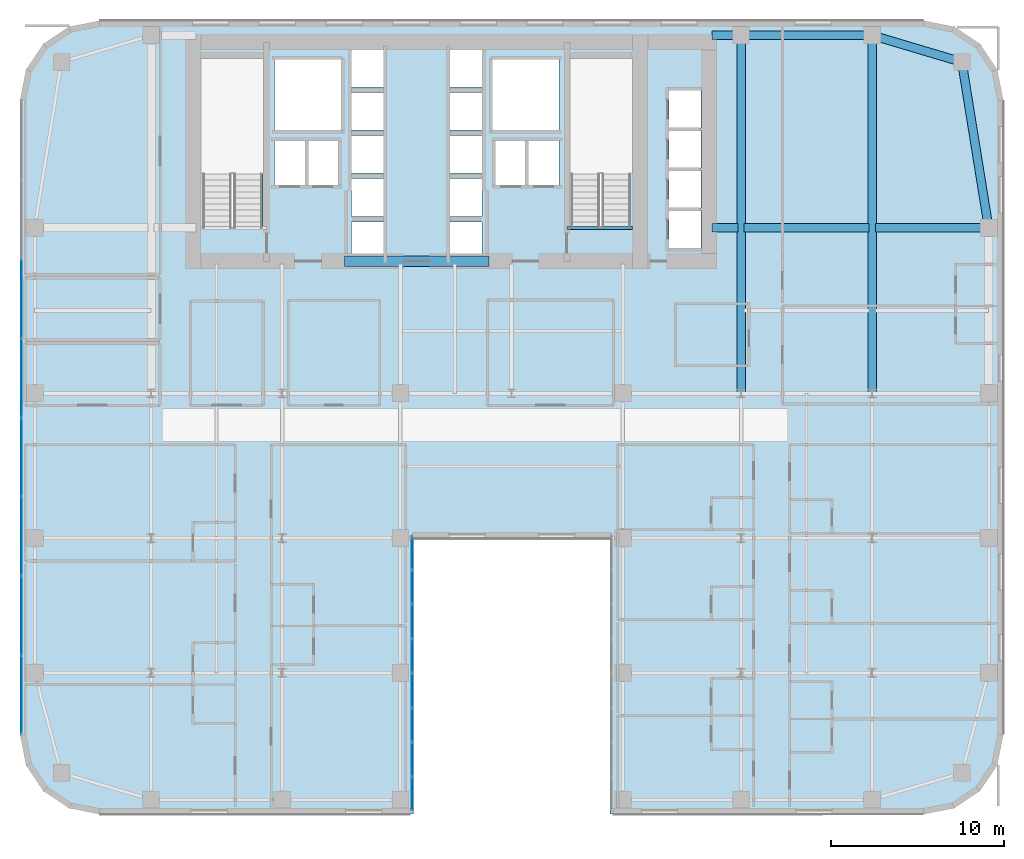
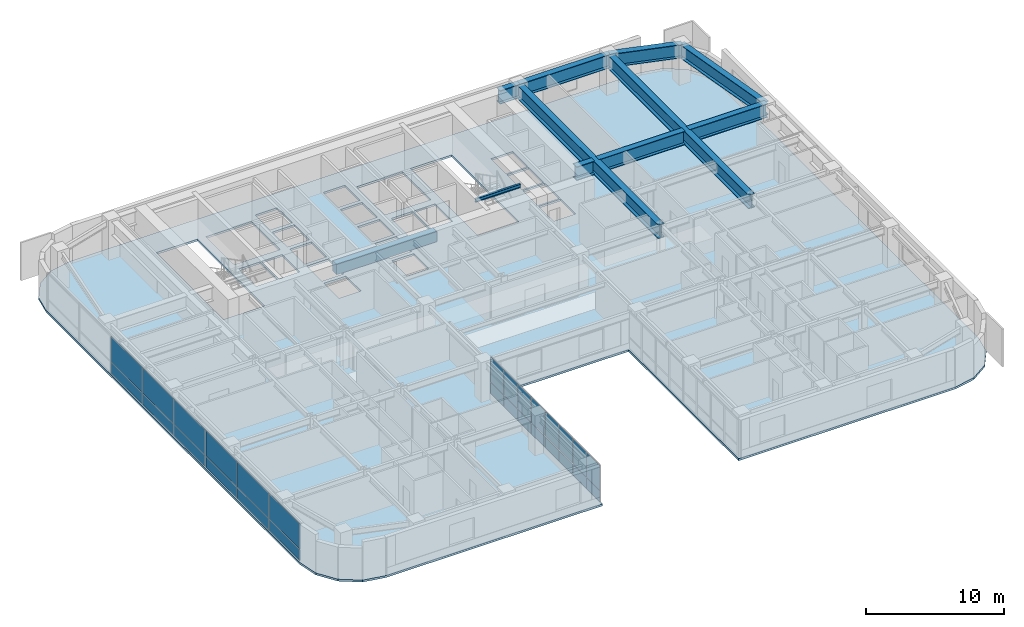
# One storey, part 25 of 37: 28 plates, 11 beams, 1 slab, 2 elements without a shape of their own.
"""IFC4 building model written with IfcOpenShell, lengths in metres."""

from ifc_helpers import new_model, si_unit, direction, frame, origin, origin_2d, place, context, subcontext, project, spatial, polyline, rectangle, i_section, outline, extrude, source, transform, mapped, material, layer, layer_set, material_profile, profile_set, type_object, type_shapes, element, aggregate, save


model = new_model("IFC4")

# Units and contexts
model_context = context("Model", 3, precision=1e-05, world=origin(), true_north=direction((0.0, 1.0)))
body_context = subcontext(model_context, "Body", "Model", "MODEL_VIEW")
ifc_project = project(units=[si_unit("LENGTHUNIT", "METRE"), si_unit("AREAUNIT", "SQUARE_METRE"), si_unit("VOLUMEUNIT", "CUBIC_METRE"), si_unit("PLANEANGLEUNIT", "RADIAN"), si_unit("MASSUNIT", "GRAM", prefix="KILO")], contexts=[model_context])

# Site, building, storey
site_placement = place(None, origin())
site = spatial("IfcSite", under=ifc_project, at=site_placement, CompositionType="ELEMENT")
building_placement = place(site_placement, origin())
building = spatial("IfcBuilding", under=site, at=building_placement, Name="Tolvann Quenvar Hotel", CompositionType="ELEMENT")
storey_placement = place(building_placement, frame((0.0, 0.0, 53.300048828125)))
storey = spatial("IfcBuildingStorey", under=building, at=storey_placement, Name="L12", CompositionType="ELEMENT", Elevation=53.300048828125)

# Beams
ifc_material_1 = material(Name="Concrete N50 (50 MPa)", Category="concrete")
ifc_material_profile_1 = material_profile(ifc_material_1, rectangle(XDim=0.60009765625, YDim=0.89990234375, at=origin_2d()), Name="RC600x900")
ifc_profile_set_1 = profile_set([ifc_material_profile_1], Name="Concrete N50 (50 MPa)")
beam_type_1 = type_object("IfcBeamType", Name="BM_LINT_RC600x900", PredefinedType="LINTEL", material=ifc_profile_set_1)
shared_shape_1 = source(origin(), body_context, "Body", "SweptSolid", [
    extrude(rectangle(XDim=0.60009765625, YDim=0.89990234375, at=origin_2d()), origin(), (0.0, 0.0, 1.0), 8.39990234375),
])
type_shapes(beam_type_1, [shared_shape_1])
beam_1_placement = place(storey_placement, frame((18.800048828125, 32.050048828125, 2.919921875), z_axis=(1.0, 0.0, 0.0), x_axis=(0.0, 1.0, 0.0)))
element("IfcBeam", 1, at=beam_1_placement, inside=storey, type_object=beam_type_1, Name="Core Coupling Lintel Beam (L12)", PredefinedType="LINTEL", context=body_context, shape_type="MappedRepresentation", body=[
    mapped(shared_shape_1, transform((0.0, 0.0, 0.0), x_axis=(1.0, 0.0, 0.0), y_axis=(0.0, 1.0, 0.0), z_axis=(0.0, 0.0, 1.0), scale=1.0)),
])
ifc_material_2 = material(Name="Steel Grade 350", Category="steel")
ifc_material_profile_2 = material_profile(ifc_material_2, i_section(OverallWidth=0.5, OverallDepth=1.199951171875, WebThickness=0.01611328125, FlangeThickness=0.0400390625, at=origin_2d()), Name="1200WB455")
ifc_profile_set_2 = profile_set([ifc_material_profile_2], Name="Steel Grade 350")
beam_type_2 = type_object("IfcBeamType", Name="BM_TG_1200WB455", PredefinedType="USERDEFINED", material=ifc_profile_set_2)
shared_shape_2 = source(origin(), body_context, "Body", "SweptSolid", [
    extrude(i_section(OverallWidth=0.5, OverallDepth=1.199951171875, WebThickness=0.01611328125, FlangeThickness=0.0400390625, at=origin_2d()), origin(), (0.0, 0.0, 1.0), 7.599853515625),
])
beam_2_placement = place(storey_placement, frame((49.39990234375, 45.14990234375, 2.77001953125), z_axis=(-1.0, 0.0, 0.0), x_axis=(0.0, -1.0, 0.0)))
element("IfcBeam", 2, at=beam_2_placement, inside=storey, type_object=beam_type_2, Name="BM-L12-FLK-E4", ObjectType="TRANSFER GIRDER", PredefinedType="USERDEFINED", context=body_context, shape_type="MappedRepresentation", body=[
    mapped(shared_shape_2, transform((0.0, 0.0, 0.0), x_axis=(1.0, 0.0, 0.0), y_axis=(0.0, 1.0, 0.0), z_axis=(0.0, 0.0, 1.0), scale=1.0)),
])
shared_shape_3 = source(origin(), body_context, "Body", "SweptSolid", [
    extrude(i_section(OverallWidth=0.5, OverallDepth=1.199951171875, WebThickness=0.01611328125, FlangeThickness=0.0400390625, at=origin_2d()), origin(), (0.0, 0.0, 1.0), 20.75),
])
for number, where, z_axis, x_axis, name in (
    (3, (41.800048828125, 24.39990234375, 2.77001953125), (0.0, 1.0, 0.0), (-1.0, 0.0, 0.0), "BM-L12-FLK-EH"),
    (4, (49.39990234375, 24.39990234375, 2.77001953125), (0.0, 1.0, 0.0), (-1.0, 0.0, 0.0), "BM-L12-FLK-EI"),
):
    element("IfcBeam", number, at=place(storey_placement, frame(where, z_axis=z_axis, x_axis=x_axis)), inside=storey, type_object=beam_type_2, Name=name, ObjectType="TRANSFER GIRDER", PredefinedType="USERDEFINED", context=body_context, shape_type="MappedRepresentation", body=[
        mapped(shared_shape_3, transform((0.0, 0.0, 0.0), x_axis=(1.0, 0.0, 0.0), y_axis=(0.0, 1.0, 0.0), z_axis=(0.0, 0.0, 1.0), scale=1.0)),
    ])
shared_shape_4 = source(origin(), body_context, "Body", "SweptSolid", [
    extrude(i_section(OverallWidth=0.5, OverallDepth=1.199951171875, WebThickness=0.01611328125, FlangeThickness=0.0400390625, at=origin_2d()), origin(), (0.0, 0.0, 1.0), 6.56982421875),
])
beam_3_placement = place(storey_placement, frame((49.580078125, 34.0, 2.77001953125), z_axis=(1.0, 0.0, 0.0), x_axis=(0.0, 1.0, 0.0)))
element("IfcBeam", 5, at=beam_3_placement, inside=storey, type_object=beam_type_2, Name="BM-L12-CTE-JD6C", ObjectType="TRANSFER GIRDER", PredefinedType="USERDEFINED", context=body_context, shape_type="MappedRepresentation", body=[
    mapped(shared_shape_4, transform((0.0, 0.0, 0.0), x_axis=(1.0, 0.0, 0.0), y_axis=(0.0, 1.0, 0.0), z_axis=(0.0, 0.0, 1.0), scale=1.0)),
])
shared_shape_5 = source(origin(), body_context, "Body", "SweptSolid", [
    extrude(i_section(OverallWidth=0.5, OverallDepth=1.199951171875, WebThickness=0.01611328125, FlangeThickness=0.0400390625, at=origin_2d()), origin(), (0.0, 0.0, 1.0), 9.724365234375),
])
beam_4_placement = place(storey_placement, frame((56.14990234375, 34.0, 2.77001953125), z_axis=(-0.159372939192, 0.987218449105, 0.0), x_axis=(-0.987218449105, -0.159372939192, 0.0)))
element("IfcBeam", 6, at=beam_4_placement, inside=storey, type_object=beam_type_2, Name="BM-L12-FLK-E2", ObjectType="TRANSFER GIRDER", PredefinedType="USERDEFINED", context=body_context, shape_type="MappedRepresentation", body=[
    mapped(shared_shape_5, transform((0.0, 0.0, 0.0), x_axis=(1.0, 0.0, 0.0), y_axis=(0.0, 1.0, 0.0), z_axis=(0.0, 0.0, 1.0), scale=1.0)),
])
shared_shape_6 = source(origin(), body_context, "Body", "SweptSolid", [
    extrude(i_section(OverallWidth=0.5, OverallDepth=1.199951171875, WebThickness=0.01611328125, FlangeThickness=0.0400390625, at=origin_2d()), origin(), (0.0, 0.0, 1.0), 5.42626953125),
])
beam_5_placement = place(storey_placement, frame((54.60009765625, 43.60009765625, 2.77001953125), z_axis=(-0.958344815522, 0.285613750654, 0.0), x_axis=(-0.285613750654, -0.958344815522, 0.0)))
element("IfcBeam", 7, at=beam_5_placement, inside=storey, type_object=beam_type_2, Name="BM-L12-FLK-E3", ObjectType="TRANSFER GIRDER", PredefinedType="USERDEFINED", context=body_context, shape_type="MappedRepresentation", body=[
    mapped(shared_shape_6, transform((0.0, 0.0, 0.0), x_axis=(1.0, 0.0, 0.0), y_axis=(0.0, 1.0, 0.0), z_axis=(0.0, 0.0, 1.0), scale=1.0)),
])
shared_shape_7 = source(origin(), body_context, "Body", "SweptSolid", [
    extrude(i_section(OverallWidth=0.5, OverallDepth=1.199951171875, WebThickness=0.01611328125, FlangeThickness=0.0400390625, at=origin_2d()), origin(), (0.0, 0.0, 1.0), 1.699951171875),
])
beam_6_placement = place(storey_placement, frame((40.10009765625, 45.14990234375, 2.77001953125), z_axis=(1.0, 0.0, 0.0), x_axis=(0.0, 1.0, 0.0)))
element("IfcBeam", 8, at=beam_6_placement, inside=storey, type_object=beam_type_2, Name="BM-L12-CTE-HN", ObjectType="TRANSFER GIRDER", PredefinedType="USERDEFINED", context=body_context, shape_type="MappedRepresentation", body=[
    mapped(shared_shape_7, transform((0.0, 0.0, 0.0), x_axis=(1.0, 0.0, 0.0), y_axis=(0.0, 1.0, 0.0), z_axis=(0.0, 0.0, 1.0), scale=1.0)),
])
shared_shape_8 = source(origin(), body_context, "Body", "SweptSolid", [
    extrude(i_section(OverallWidth=0.5, OverallDepth=1.199951171875, WebThickness=0.01611328125, FlangeThickness=0.0400390625, at=origin_2d()), origin(), (0.0, 0.0, 1.0), 1.52001953125),
])
beam_7_placement = place(storey_placement, frame((40.10009765625, 34.0, 2.77001953125), z_axis=(1.0, 0.0, 0.0), x_axis=(0.0, 1.0, 0.0)))
element("IfcBeam", 9, at=beam_7_placement, inside=storey, type_object=beam_type_2, Name="BM-L12-CTE-JD6A", ObjectType="TRANSFER GIRDER", PredefinedType="USERDEFINED", context=body_context, shape_type="MappedRepresentation", body=[
    mapped(shared_shape_8, transform((0.0, 0.0, 0.0), x_axis=(1.0, 0.0, 0.0), y_axis=(0.0, 1.0, 0.0), z_axis=(0.0, 0.0, 1.0), scale=1.0)),
])
shared_shape_9 = source(origin(), body_context, "Body", "SweptSolid", [
    extrude(i_section(OverallWidth=0.5, OverallDepth=1.199951171875, WebThickness=0.01611328125, FlangeThickness=0.0400390625, at=origin_2d()), origin(), (0.0, 0.0, 1.0), 7.239990234375),
])
type_shapes(beam_type_2, [shared_shape_2, shared_shape_3, shared_shape_4, shared_shape_5, shared_shape_6, shared_shape_7, shared_shape_8, shared_shape_9])
beam_8_placement = place(storey_placement, frame((41.97998046875, 34.0, 2.77001953125), z_axis=(1.0, 0.0, 0.0), x_axis=(0.0, 1.0, 0.0)))
element("IfcBeam", 10, at=beam_8_placement, inside=storey, type_object=beam_type_2, Name="BM-L12-CTE-JD6B", ObjectType="TRANSFER GIRDER", PredefinedType="USERDEFINED", context=body_context, shape_type="MappedRepresentation", body=[
    mapped(shared_shape_9, transform((0.0, 0.0, 0.0), x_axis=(1.0, 0.0, 0.0), y_axis=(0.0, 1.0, 0.0), z_axis=(0.0, 0.0, 1.0), scale=1.0)),
])
ifc_material_profile_3 = material_profile(ifc_material_2, i_section(OverallWidth=0.166015625, OverallDepth=0.306884765625, WebThickness=0.006591796875, FlangeThickness=0.01171875, FilletRadius=0.011474609375, at=origin_2d()), Name="310UB46")
ifc_profile_set_3 = profile_set([ifc_material_profile_3], Name="Steel Grade 350")
beam_type_3 = type_object("IfcBeamType", Name="BM_JOIST_310UB46", PredefinedType="JOIST", material=ifc_profile_set_3)
shared_shape_10 = source(origin(), body_context, "Body", "SweptSolid", [
    extrude(i_section(OverallWidth=0.166015625, OverallDepth=0.306884765625, WebThickness=0.006591796875, FlangeThickness=0.01171875, FilletRadius=0.011474609375, at=origin_2d()), origin(), (0.0, 0.0, 1.0), 3.800048828125),
])
type_shapes(beam_type_3, [shared_shape_10])
beam_9_placement = place(storey_placement, frame((31.699951171875, 33.97998046875, 3.216552734375), z_axis=(1.0, 0.0, 0.0), x_axis=(0.0, 1.0, 0.0)))
element("IfcBeam", 11, at=beam_9_placement, inside=storey, type_object=beam_type_3, Name="BM-HDR-STC2-L13", PredefinedType="JOIST", context=body_context, shape_type="MappedRepresentation", body=[
    mapped(shared_shape_10, transform((0.0, 0.0, 0.0), x_axis=(1.0, 0.0, 0.0), y_axis=(0.0, 1.0, 0.0), z_axis=(0.0, 0.0, 1.0), scale=1.0)),
])

# Slab
ifc_material_3 = material(Name="Concrete N40 (40 MPa)", Category="concrete")
ifc_layer_1 = layer(ifc_material_3, 0.179931640625)
ifc_layer_set_1 = layer_set([ifc_layer_1], Name="Concrete N40 (40 MPa)")
slab_type = type_object("IfcSlabType", Name="SLAB_TWR_180", PredefinedType="FLOOR", material=ifc_layer_set_1)
slab_placement = place(storey_placement, frame((0.0, 0.0, -0.179931640625)))
element("IfcSlab", 12, at=slab_placement, inside=storey, type_object=slab_type, Name="Level L12 Structural Floor Slab", PredefinedType="FLOOR", context=body_context, shape_type="SweptSolid", body=[
    extrude(outline(polyline([(0.0, 4.60009765625), (0.35009765625, 2.839599609375), (1.347412109375, 1.347412109375), (2.839599609375, 0.35009765625), (4.60009765625, 0.0), (22.800048828125, 0.0), (22.800048828125, 16.0), (34.199951171875, 16.0), (34.199951171875, 0.0), (52.39990234375, 0.0), (54.160400390625, 0.35009765625), (55.652587890625, 1.347412109375), (56.64990234375, 2.839599609375), (57.0, 4.60009765625), (57.0, 41.39990234375), (56.64990234375, 43.160400390625), (55.652587890625, 44.652587890625), (54.160400390625, 45.64990234375), (52.39990234375, 46.0), (4.60009765625, 46.0), (2.839599609375, 45.64990234375), (1.347412109375, 44.652587890625), (0.35009765625, 43.160400390625), (0.0, 41.39990234375), (0.0, 4.60009765625)]), holes=[polyline([(37.6298828125, 41.949951171875), (39.469970703125, 41.949951171875), (39.469970703125, 39.77001953125), (37.6298828125, 39.77001953125), (37.6298828125, 41.949951171875)]), polyline([(37.6298828125, 39.6298828125), (39.469970703125, 39.6298828125), (39.469970703125, 37.449951171875), (37.6298828125, 37.449951171875), (37.6298828125, 39.6298828125)]), polyline([(37.6298828125, 37.31005859375), (39.469970703125, 37.31005859375), (39.469970703125, 35.1298828125), (37.6298828125, 35.1298828125), (37.6298828125, 37.31005859375)]), polyline([(37.6298828125, 34.989990234375), (39.469970703125, 34.989990234375), (39.469970703125, 32.81005859375), (37.6298828125, 32.81005859375), (37.6298828125, 34.989990234375)]), polyline([(31.949951171875, 43.800048828125), (35.39990234375, 43.800048828125), (35.39990234375, 34.02490234375), (31.949951171875, 34.02490234375), (31.949951171875, 43.800048828125)]), polyline([(31.25, 39.02001953125), (31.25, 36.47998046875), (29.449951171875, 36.47998046875), (29.449951171875, 39.02001953125), (31.25, 39.02001953125)]), polyline([(31.25, 43.75), (31.25, 39.64990234375), (27.39990234375, 39.64990234375), (27.39990234375, 43.75), (31.25, 43.75)]), polyline([(27.574951171875, 39.02001953125), (29.324951171875, 39.02001953125), (29.324951171875, 36.47998046875), (27.574951171875, 36.47998046875), (27.574951171875, 39.02001953125)]), polyline([(26.77001953125, 36.840087890625), (26.77001953125, 34.659912109375), (24.929931640625, 34.659912109375), (24.929931640625, 36.840087890625), (26.77001953125, 36.840087890625)]), polyline([(26.77001953125, 44.340087890625), (26.77001953125, 42.159912109375), (24.929931640625, 42.159912109375), (24.929931640625, 44.340087890625), (26.77001953125, 44.340087890625)]), polyline([(26.77001953125, 41.840087890625), (26.77001953125, 39.659912109375), (24.929931640625, 39.659912109375), (24.929931640625, 41.840087890625), (26.77001953125, 41.840087890625)]), polyline([(26.77001953125, 39.340087890625), (26.77001953125, 37.159912109375), (24.929931640625, 37.159912109375), (24.929931640625, 39.340087890625), (26.77001953125, 39.340087890625)]), polyline([(24.929931640625, 34.340087890625), (26.77001953125, 34.340087890625), (26.77001953125, 32.159912109375), (24.929931640625, 32.159912109375), (24.929931640625, 34.340087890625)]), polyline([(21.070068359375, 44.340087890625), (21.070068359375, 42.159912109375), (19.22998046875, 42.159912109375), (19.22998046875, 44.340087890625), (21.070068359375, 44.340087890625)]), polyline([(19.22998046875, 41.840087890625), (21.070068359375, 41.840087890625), (21.070068359375, 39.659912109375), (19.22998046875, 39.659912109375), (19.22998046875, 41.840087890625)]), polyline([(21.070068359375, 39.340087890625), (21.070068359375, 37.159912109375), (19.22998046875, 37.159912109375), (19.22998046875, 39.340087890625), (21.070068359375, 39.340087890625)]), polyline([(19.22998046875, 36.840087890625), (21.070068359375, 36.840087890625), (21.070068359375, 34.659912109375), (19.22998046875, 34.659912109375), (19.22998046875, 36.840087890625)]), polyline([(19.22998046875, 34.340087890625), (21.070068359375, 34.340087890625), (21.070068359375, 32.159912109375), (19.22998046875, 32.159912109375), (19.22998046875, 34.340087890625)]), polyline([(18.60009765625, 43.75), (18.60009765625, 39.64990234375), (14.75, 39.64990234375), (14.75, 43.75), (18.60009765625, 43.75)]), polyline([(16.675048828125, 39.02001953125), (18.425048828125, 39.02001953125), (18.425048828125, 36.47998046875), (16.675048828125, 36.47998046875), (16.675048828125, 39.02001953125)]), polyline([(16.550048828125, 39.02001953125), (16.550048828125, 36.47998046875), (14.75, 36.47998046875), (14.75, 39.02001953125), (16.550048828125, 39.02001953125)]), polyline([(10.60009765625, 43.800048828125), (14.050048828125, 43.800048828125), (14.050048828125, 34.02490234375), (10.60009765625, 34.02490234375), (10.60009765625, 43.800048828125)])]), origin(), (0.0, 0.0, 1.0), 0.179931640625),
])

# Curtain wall, plates
ifc_material_4 = material(Name="Thermally broken anodised architectural aluminium 6063-T6 and laminated low-E glass", Category="aluminium")
ifc_layer_2 = layer(ifc_material_4, 0.179931640625)
ifc_layer_set_2 = layer_set([ifc_layer_2], Name="Thermally broken anodised architectural aluminium 6063-T6 and laminated low-E glass")
curtain_wall_type_1 = type_object("IfcCurtainWallType", Name="CW_SYS_SLOT_03", PredefinedType="USERDEFINED", material=ifc_layer_set_2)
curtain_wall_1_placement = place(storey_placement, origin())
curtain_wall_1 = element("IfcCurtainWall", 13, at=curtain_wall_1_placement, inside=storey, type_object=curtain_wall_type_1, Name="Curtain Wall CW-SLOT-03 (CWR-L12-E05)", ObjectType="UNITISED CURTAIN WALL", PredefinedType="USERDEFINED")
ifc_material_5 = material(Name="Low-iron laminated double glazing with solar-control coating", Category="glass")
ifc_layer_3 = layer(ifc_material_5, 0.028076171875)
ifc_layer_set_3 = layer_set([ifc_layer_3], Name="Low-iron laminated double glazing with solar-control coating")
plate_type = type_object("IfcPlateType", Name="CW_PAN_VISION_28", PredefinedType="CURTAIN_PANEL", material=ifc_layer_set_3)
shared_shape_11 = source(origin(), body_context, "Body", "SweptSolid", [
    extrude(rectangle(XDim=1.89501953125, YDim=0.028076171875, at=origin_2d()), origin(), (0.0, 0.0, 1.0), 0.9599609375),
])
plate_1_placement = place(storey_placement, frame((22.7099609375, 1.1923828125, 0.06005859375), z_axis=(0.0, 0.0, 1.0), x_axis=(0.0, 1.0, 0.0)))
plate_1 = element("IfcPlate", 14, at=plate_1_placement, type_object=plate_type, Name="CW-SLOT-03 panel 1.1", PredefinedType="CURTAIN_PANEL", context=body_context, shape_type="MappedRepresentation", body=[
    mapped(shared_shape_11, transform((0.0, 0.0, 0.0), x_axis=(1.0, 0.0, 0.0), y_axis=(0.0, 1.0, 0.0), z_axis=(0.0, 0.0, 1.0), scale=1.0)),
])
plate_2_placement = place(storey_placement, frame((22.7099609375, 15.157470703125, 0.06005859375), z_axis=(0.0, 0.0, 1.0), x_axis=(0.0, 1.0, 0.0)))
plate_2 = element("IfcPlate", 15, at=plate_2_placement, type_object=plate_type, Name="CW-SLOT-03 panel 8.1", PredefinedType="CURTAIN_PANEL", context=body_context, shape_type="MappedRepresentation", body=[
    mapped(shared_shape_11, transform((0.0, 0.0, 0.0), x_axis=(1.0, 0.0, 0.0), y_axis=(0.0, 1.0, 0.0), z_axis=(0.0, 0.0, 1.0), scale=1.0)),
])
shared_shape_12 = source(origin(), body_context, "Body", "SweptSolid", [
    extrude(rectangle(XDim=1.89501953125, YDim=0.028076171875, at=origin_2d()), origin(), (0.0, 0.0, 1.0), 2.22998046875),
])
plate_3_placement = place(storey_placement, frame((22.7099609375, 1.1923828125, 1.080078125), z_axis=(0.0, 0.0, 1.0), x_axis=(0.0, 1.0, 0.0)))
plate_3 = element("IfcPlate", 16, at=plate_3_placement, type_object=plate_type, Name="CW-SLOT-03 panel 1.2", PredefinedType="CURTAIN_PANEL", context=body_context, shape_type="MappedRepresentation", body=[
    mapped(shared_shape_12, transform((0.0, 0.0, 0.0), x_axis=(1.0, 0.0, 0.0), y_axis=(0.0, 1.0, 0.0), z_axis=(0.0, 0.0, 1.0), scale=1.0)),
])
plate_4_placement = place(storey_placement, frame((22.7099609375, 15.157470703125, 1.080078125), z_axis=(0.0, 0.0, 1.0), x_axis=(0.0, 1.0, 0.0)))
plate_4 = element("IfcPlate", 17, at=plate_4_placement, type_object=plate_type, Name="CW-SLOT-03 panel 8.2", PredefinedType="CURTAIN_PANEL", context=body_context, shape_type="MappedRepresentation", body=[
    mapped(shared_shape_12, transform((0.0, 0.0, 0.0), x_axis=(1.0, 0.0, 0.0), y_axis=(0.0, 1.0, 0.0), z_axis=(0.0, 0.0, 1.0), scale=1.0)),
])
shared_shape_13 = source(origin(), body_context, "Body", "SweptSolid", [
    extrude(rectangle(XDim=1.929931640625, YDim=0.028076171875, at=origin_2d()), origin(), (0.0, 0.0, 1.0), 0.9599609375),
])
plate_5_placement = place(storey_placement, frame((22.7099609375, 3.175048828125, 0.06005859375), z_axis=(0.0, 0.0, 1.0), x_axis=(0.0, 1.0, 0.0)))
plate_5 = element("IfcPlate", 18, at=plate_5_placement, type_object=plate_type, Name="CW-SLOT-03 panel 2.1", PredefinedType="CURTAIN_PANEL", context=body_context, shape_type="MappedRepresentation", body=[
    mapped(shared_shape_13, transform((0.0, 0.0, 0.0), x_axis=(1.0, 0.0, 0.0), y_axis=(0.0, 1.0, 0.0), z_axis=(0.0, 0.0, 1.0), scale=1.0)),
])
plate_6_placement = place(storey_placement, frame((22.7099609375, 5.175048828125, 0.06005859375), z_axis=(0.0, 0.0, 1.0), x_axis=(0.0, 1.0, 0.0)))
plate_6 = element("IfcPlate", 19, at=plate_6_placement, type_object=plate_type, Name="CW-SLOT-03 panel 3.1", PredefinedType="CURTAIN_PANEL", context=body_context, shape_type="MappedRepresentation", body=[
    mapped(shared_shape_13, transform((0.0, 0.0, 0.0), x_axis=(1.0, 0.0, 0.0), y_axis=(0.0, 1.0, 0.0), z_axis=(0.0, 0.0, 1.0), scale=1.0)),
])
plate_7_placement = place(storey_placement, frame((22.7099609375, 7.175048828125, 0.06005859375), z_axis=(0.0, 0.0, 1.0), x_axis=(0.0, 1.0, 0.0)))
plate_7 = element("IfcPlate", 20, at=plate_7_placement, type_object=plate_type, Name="CW-SLOT-03 panel 4.1", PredefinedType="CURTAIN_PANEL", context=body_context, shape_type="MappedRepresentation", body=[
    mapped(shared_shape_13, transform((0.0, 0.0, 0.0), x_axis=(1.0, 0.0, 0.0), y_axis=(0.0, 1.0, 0.0), z_axis=(0.0, 0.0, 1.0), scale=1.0)),
])
plate_8_placement = place(storey_placement, frame((22.7099609375, 9.175048828125, 0.06005859375), z_axis=(0.0, 0.0, 1.0), x_axis=(0.0, 1.0, 0.0)))
plate_8 = element("IfcPlate", 21, at=plate_8_placement, type_object=plate_type, Name="CW-SLOT-03 panel 5.1", PredefinedType="CURTAIN_PANEL", context=body_context, shape_type="MappedRepresentation", body=[
    mapped(shared_shape_13, transform((0.0, 0.0, 0.0), x_axis=(1.0, 0.0, 0.0), y_axis=(0.0, 1.0, 0.0), z_axis=(0.0, 0.0, 1.0), scale=1.0)),
])
plate_9_placement = place(storey_placement, frame((22.7099609375, 11.175048828125, 0.06005859375), z_axis=(0.0, 0.0, 1.0), x_axis=(0.0, 1.0, 0.0)))
plate_9 = element("IfcPlate", 22, at=plate_9_placement, type_object=plate_type, Name="CW-SLOT-03 panel 6.1", PredefinedType="CURTAIN_PANEL", context=body_context, shape_type="MappedRepresentation", body=[
    mapped(shared_shape_13, transform((0.0, 0.0, 0.0), x_axis=(1.0, 0.0, 0.0), y_axis=(0.0, 1.0, 0.0), z_axis=(0.0, 0.0, 1.0), scale=1.0)),
])
plate_10_placement = place(storey_placement, frame((22.7099609375, 13.175048828125, 0.06005859375), z_axis=(0.0, 0.0, 1.0), x_axis=(0.0, 1.0, 0.0)))
plate_10 = element("IfcPlate", 23, at=plate_10_placement, type_object=plate_type, Name="CW-SLOT-03 panel 7.1", PredefinedType="CURTAIN_PANEL", context=body_context, shape_type="MappedRepresentation", body=[
    mapped(shared_shape_13, transform((0.0, 0.0, 0.0), x_axis=(1.0, 0.0, 0.0), y_axis=(0.0, 1.0, 0.0), z_axis=(0.0, 0.0, 1.0), scale=1.0)),
])
shared_shape_14 = source(origin(), body_context, "Body", "SweptSolid", [
    extrude(rectangle(XDim=1.929931640625, YDim=0.028076171875, at=origin_2d()), origin(), (0.0, 0.0, 1.0), 2.22998046875),
])
plate_11_placement = place(storey_placement, frame((22.7099609375, 3.175048828125, 1.080078125), z_axis=(0.0, 0.0, 1.0), x_axis=(0.0, 1.0, 0.0)))
plate_11 = element("IfcPlate", 24, at=plate_11_placement, type_object=plate_type, Name="CW-SLOT-03 panel 2.2", PredefinedType="CURTAIN_PANEL", context=body_context, shape_type="MappedRepresentation", body=[
    mapped(shared_shape_14, transform((0.0, 0.0, 0.0), x_axis=(1.0, 0.0, 0.0), y_axis=(0.0, 1.0, 0.0), z_axis=(0.0, 0.0, 1.0), scale=1.0)),
])
plate_12_placement = place(storey_placement, frame((22.7099609375, 5.175048828125, 1.080078125), z_axis=(0.0, 0.0, 1.0), x_axis=(0.0, 1.0, 0.0)))
plate_12 = element("IfcPlate", 25, at=plate_12_placement, type_object=plate_type, Name="CW-SLOT-03 panel 3.2", PredefinedType="CURTAIN_PANEL", context=body_context, shape_type="MappedRepresentation", body=[
    mapped(shared_shape_14, transform((0.0, 0.0, 0.0), x_axis=(1.0, 0.0, 0.0), y_axis=(0.0, 1.0, 0.0), z_axis=(0.0, 0.0, 1.0), scale=1.0)),
])
plate_13_placement = place(storey_placement, frame((22.7099609375, 7.175048828125, 1.080078125), z_axis=(0.0, 0.0, 1.0), x_axis=(0.0, 1.0, 0.0)))
plate_13 = element("IfcPlate", 26, at=plate_13_placement, type_object=plate_type, Name="CW-SLOT-03 panel 4.2", PredefinedType="CURTAIN_PANEL", context=body_context, shape_type="MappedRepresentation", body=[
    mapped(shared_shape_14, transform((0.0, 0.0, 0.0), x_axis=(1.0, 0.0, 0.0), y_axis=(0.0, 1.0, 0.0), z_axis=(0.0, 0.0, 1.0), scale=1.0)),
])
plate_14_placement = place(storey_placement, frame((22.7099609375, 9.175048828125, 1.080078125), z_axis=(0.0, 0.0, 1.0), x_axis=(0.0, 1.0, 0.0)))
plate_14 = element("IfcPlate", 27, at=plate_14_placement, type_object=plate_type, Name="CW-SLOT-03 panel 5.2", PredefinedType="CURTAIN_PANEL", context=body_context, shape_type="MappedRepresentation", body=[
    mapped(shared_shape_14, transform((0.0, 0.0, 0.0), x_axis=(1.0, 0.0, 0.0), y_axis=(0.0, 1.0, 0.0), z_axis=(0.0, 0.0, 1.0), scale=1.0)),
])
plate_15_placement = place(storey_placement, frame((22.7099609375, 11.175048828125, 1.080078125), z_axis=(0.0, 0.0, 1.0), x_axis=(0.0, 1.0, 0.0)))
plate_15 = element("IfcPlate", 28, at=plate_15_placement, type_object=plate_type, Name="CW-SLOT-03 panel 6.2", PredefinedType="CURTAIN_PANEL", context=body_context, shape_type="MappedRepresentation", body=[
    mapped(shared_shape_14, transform((0.0, 0.0, 0.0), x_axis=(1.0, 0.0, 0.0), y_axis=(0.0, 1.0, 0.0), z_axis=(0.0, 0.0, 1.0), scale=1.0)),
])
plate_16_placement = place(storey_placement, frame((22.7099609375, 13.175048828125, 1.080078125), z_axis=(0.0, 0.0, 1.0), x_axis=(0.0, 1.0, 0.0)))
plate_16 = element("IfcPlate", 29, at=plate_16_placement, type_object=plate_type, Name="CW-SLOT-03 panel 7.2", PredefinedType="CURTAIN_PANEL", context=body_context, shape_type="MappedRepresentation", body=[
    mapped(shared_shape_14, transform((0.0, 0.0, 0.0), x_axis=(1.0, 0.0, 0.0), y_axis=(0.0, 1.0, 0.0), z_axis=(0.0, 0.0, 1.0), scale=1.0)),
])
aggregate(curtain_wall_1, [plate_1, plate_3, plate_5, plate_11, plate_6, plate_12, plate_7, plate_13, plate_8, plate_14, plate_9, plate_15, plate_10, plate_16, plate_2, plate_4])

ifc_layer_4 = layer(ifc_material_4, 0.179931640625)
ifc_layer_set_4 = layer_set([ifc_layer_4], Name="Thermally broken anodised architectural aluminium 6063-T6 and laminated low-E glass")
curtain_wall_type_2 = type_object("IfcCurtainWallType", Name="CW_SYS_BAND_04", PredefinedType="USERDEFINED", material=ifc_layer_set_4)
curtain_wall_2_placement = place(storey_placement, origin())
curtain_wall_2 = element("IfcCurtainWall", 30, at=curtain_wall_2_placement, inside=storey, type_object=curtain_wall_type_2, Name="Curtain Wall CW-BAND-04 (CWR-L12-E23)", ObjectType="UNITISED CURTAIN WALL", PredefinedType="USERDEFINED")
shared_shape_15 = source(origin(), body_context, "Body", "SweptSolid", [
    extrude(rectangle(XDim=4.49072265625, YDim=0.028076171875, at=origin_2d()), origin(), (0.0, 0.0, 1.0), 0.9599609375),
])
plate_17_placement = place(storey_placement, frame((0.090087890625, 6.9326171875, 0.06005859375), z_axis=(0.0, 0.0, 1.0), x_axis=(0.0, -1.0, 0.0)))
plate_17 = element("IfcPlate", 31, at=plate_17_placement, type_object=plate_type, Name="CW-BAND-04 panel 8.1", PredefinedType="CURTAIN_PANEL", context=body_context, shape_type="MappedRepresentation", body=[
    mapped(shared_shape_15, transform((0.0, 0.0, 0.0), x_axis=(1.0, 0.0, 0.0), y_axis=(0.0, 1.0, 0.0), z_axis=(0.0, 0.0, 1.0), scale=1.0)),
])
shared_shape_16 = source(origin(), body_context, "Body", "SweptSolid", [
    extrude(rectangle(XDim=4.49072265625, YDim=0.028076171875, at=origin_2d()), origin(), (0.0, 0.0, 1.0), 2.22998046875),
])
plate_18_placement = place(storey_placement, frame((0.090087890625, 6.9326171875, 1.080078125), z_axis=(0.0, 0.0, 1.0), x_axis=(0.0, -1.0, 0.0)))
plate_18 = element("IfcPlate", 32, at=plate_18_placement, type_object=plate_type, Name="CW-BAND-04 panel 8.2", PredefinedType="CURTAIN_PANEL", context=body_context, shape_type="MappedRepresentation", body=[
    mapped(shared_shape_16, transform((0.0, 0.0, 0.0), x_axis=(1.0, 0.0, 0.0), y_axis=(0.0, 1.0, 0.0), z_axis=(0.0, 0.0, 1.0), scale=1.0)),
])
shared_shape_17 = source(origin(), body_context, "Body", "SweptSolid", [
    extrude(rectangle(XDim=4.525634765625, YDim=0.028076171875, at=origin_2d()), origin(), (0.0, 0.0, 1.0), 0.9599609375),
])
plate_19_placement = place(storey_placement, frame((0.090087890625, 29.8935546875, 0.06005859375), z_axis=(0.0, 0.0, 1.0), x_axis=(0.0, -1.0, 0.0)))
plate_19 = element("IfcPlate", 33, at=plate_19_placement, type_object=plate_type, Name="CW-BAND-04 panel 3.1", PredefinedType="CURTAIN_PANEL", context=body_context, shape_type="MappedRepresentation", body=[
    mapped(shared_shape_17, transform((0.0, 0.0, 0.0), x_axis=(1.0, 0.0, 0.0), y_axis=(0.0, 1.0, 0.0), z_axis=(0.0, 0.0, 1.0), scale=1.0)),
])
plate_20_placement = place(storey_placement, frame((0.090087890625, 25.2978515625, 0.06005859375), z_axis=(0.0, 0.0, 1.0), x_axis=(0.0, -1.0, 0.0)))
plate_20 = element("IfcPlate", 34, at=plate_20_placement, type_object=plate_type, Name="CW-BAND-04 panel 4.1", PredefinedType="CURTAIN_PANEL", context=body_context, shape_type="MappedRepresentation", body=[
    mapped(shared_shape_17, transform((0.0, 0.0, 0.0), x_axis=(1.0, 0.0, 0.0), y_axis=(0.0, 1.0, 0.0), z_axis=(0.0, 0.0, 1.0), scale=1.0)),
])
plate_21_placement = place(storey_placement, frame((0.090087890625, 20.7021484375, 0.06005859375), z_axis=(0.0, 0.0, 1.0), x_axis=(0.0, -1.0, 0.0)))
plate_21 = element("IfcPlate", 35, at=plate_21_placement, type_object=plate_type, Name="CW-BAND-04 panel 5.1", PredefinedType="CURTAIN_PANEL", context=body_context, shape_type="MappedRepresentation", body=[
    mapped(shared_shape_17, transform((0.0, 0.0, 0.0), x_axis=(1.0, 0.0, 0.0), y_axis=(0.0, 1.0, 0.0), z_axis=(0.0, 0.0, 1.0), scale=1.0)),
])
plate_22_placement = place(storey_placement, frame((0.090087890625, 16.1064453125, 0.06005859375), z_axis=(0.0, 0.0, 1.0), x_axis=(0.0, -1.0, 0.0)))
plate_22 = element("IfcPlate", 36, at=plate_22_placement, type_object=plate_type, Name="CW-BAND-04 panel 6.1", PredefinedType="CURTAIN_PANEL", context=body_context, shape_type="MappedRepresentation", body=[
    mapped(shared_shape_17, transform((0.0, 0.0, 0.0), x_axis=(1.0, 0.0, 0.0), y_axis=(0.0, 1.0, 0.0), z_axis=(0.0, 0.0, 1.0), scale=1.0)),
])
plate_23_placement = place(storey_placement, frame((0.090087890625, 11.5107421875, 0.06005859375), z_axis=(0.0, 0.0, 1.0), x_axis=(0.0, -1.0, 0.0)))
plate_23 = element("IfcPlate", 37, at=plate_23_placement, type_object=plate_type, Name="CW-BAND-04 panel 7.1", PredefinedType="CURTAIN_PANEL", context=body_context, shape_type="MappedRepresentation", body=[
    mapped(shared_shape_17, transform((0.0, 0.0, 0.0), x_axis=(1.0, 0.0, 0.0), y_axis=(0.0, 1.0, 0.0), z_axis=(0.0, 0.0, 1.0), scale=1.0)),
])
shared_shape_18 = source(origin(), body_context, "Body", "SweptSolid", [
    extrude(rectangle(XDim=4.525634765625, YDim=0.028076171875, at=origin_2d()), origin(), (0.0, 0.0, 1.0), 2.22998046875),
])
type_shapes(plate_type, [shared_shape_11, shared_shape_12, shared_shape_13, shared_shape_14, shared_shape_15, shared_shape_16, shared_shape_17, shared_shape_18])
plate_24_placement = place(storey_placement, frame((0.090087890625, 29.8935546875, 1.080078125), z_axis=(0.0, 0.0, 1.0), x_axis=(0.0, -1.0, 0.0)))
plate_24 = element("IfcPlate", 38, at=plate_24_placement, type_object=plate_type, Name="CW-BAND-04 panel 3.2", PredefinedType="CURTAIN_PANEL", context=body_context, shape_type="MappedRepresentation", body=[
    mapped(shared_shape_18, transform((0.0, 0.0, 0.0), x_axis=(1.0, 0.0, 0.0), y_axis=(0.0, 1.0, 0.0), z_axis=(0.0, 0.0, 1.0), scale=1.0)),
])
plate_25_placement = place(storey_placement, frame((0.090087890625, 25.2978515625, 1.080078125), z_axis=(0.0, 0.0, 1.0), x_axis=(0.0, -1.0, 0.0)))
plate_25 = element("IfcPlate", 39, at=plate_25_placement, type_object=plate_type, Name="CW-BAND-04 panel 4.2", PredefinedType="CURTAIN_PANEL", context=body_context, shape_type="MappedRepresentation", body=[
    mapped(shared_shape_18, transform((0.0, 0.0, 0.0), x_axis=(1.0, 0.0, 0.0), y_axis=(0.0, 1.0, 0.0), z_axis=(0.0, 0.0, 1.0), scale=1.0)),
])
plate_26_placement = place(storey_placement, frame((0.090087890625, 20.7021484375, 1.080078125), z_axis=(0.0, 0.0, 1.0), x_axis=(0.0, -1.0, 0.0)))
plate_26 = element("IfcPlate", 40, at=plate_26_placement, type_object=plate_type, Name="CW-BAND-04 panel 5.2", PredefinedType="CURTAIN_PANEL", context=body_context, shape_type="MappedRepresentation", body=[
    mapped(shared_shape_18, transform((0.0, 0.0, 0.0), x_axis=(1.0, 0.0, 0.0), y_axis=(0.0, 1.0, 0.0), z_axis=(0.0, 0.0, 1.0), scale=1.0)),
])
plate_27_placement = place(storey_placement, frame((0.090087890625, 16.1064453125, 1.080078125), z_axis=(0.0, 0.0, 1.0), x_axis=(0.0, -1.0, 0.0)))
plate_27 = element("IfcPlate", 41, at=plate_27_placement, type_object=plate_type, Name="CW-BAND-04 panel 6.2", PredefinedType="CURTAIN_PANEL", context=body_context, shape_type="MappedRepresentation", body=[
    mapped(shared_shape_18, transform((0.0, 0.0, 0.0), x_axis=(1.0, 0.0, 0.0), y_axis=(0.0, 1.0, 0.0), z_axis=(0.0, 0.0, 1.0), scale=1.0)),
])
plate_28_placement = place(storey_placement, frame((0.090087890625, 11.5107421875, 1.080078125), z_axis=(0.0, 0.0, 1.0), x_axis=(0.0, -1.0, 0.0)))
plate_28 = element("IfcPlate", 42, at=plate_28_placement, type_object=plate_type, Name="CW-BAND-04 panel 7.2", PredefinedType="CURTAIN_PANEL", context=body_context, shape_type="MappedRepresentation", body=[
    mapped(shared_shape_18, transform((0.0, 0.0, 0.0), x_axis=(1.0, 0.0, 0.0), y_axis=(0.0, 1.0, 0.0), z_axis=(0.0, 0.0, 1.0), scale=1.0)),
])
aggregate(curtain_wall_2, [plate_19, plate_24, plate_20, plate_25, plate_21, plate_26, plate_22, plate_27, plate_23, plate_28, plate_17, plate_18])

save(model, "model.ifc")
